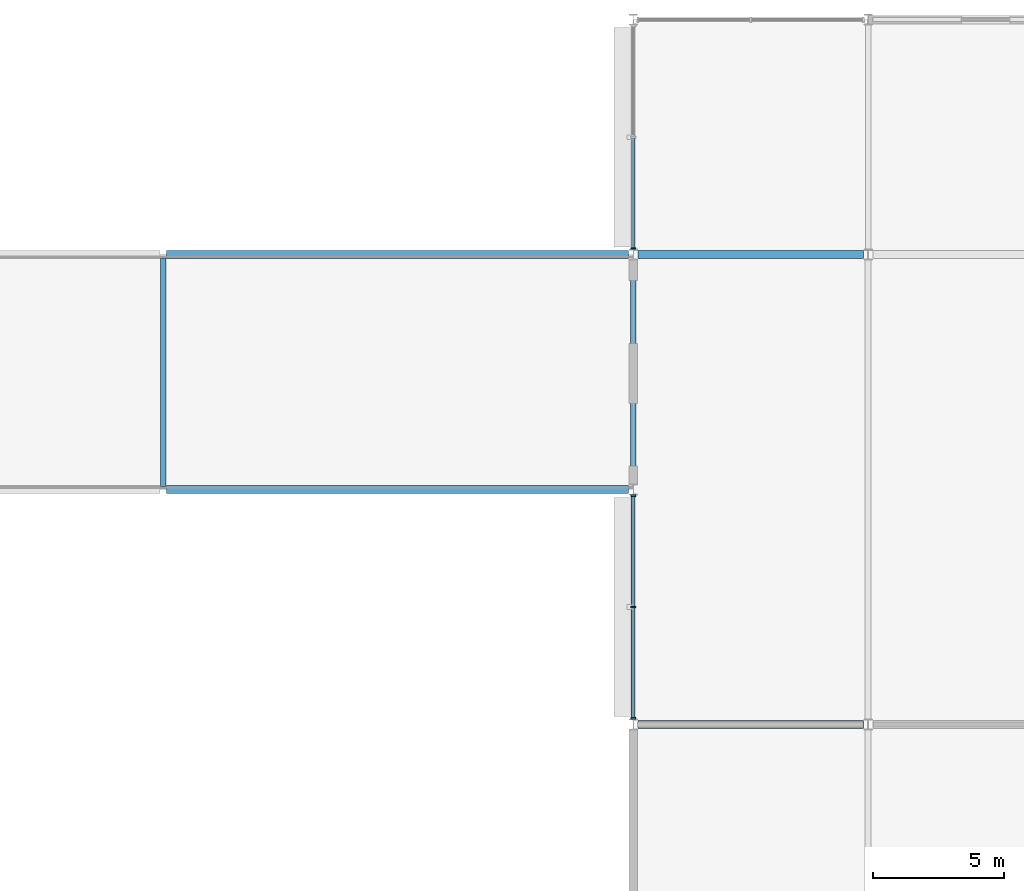
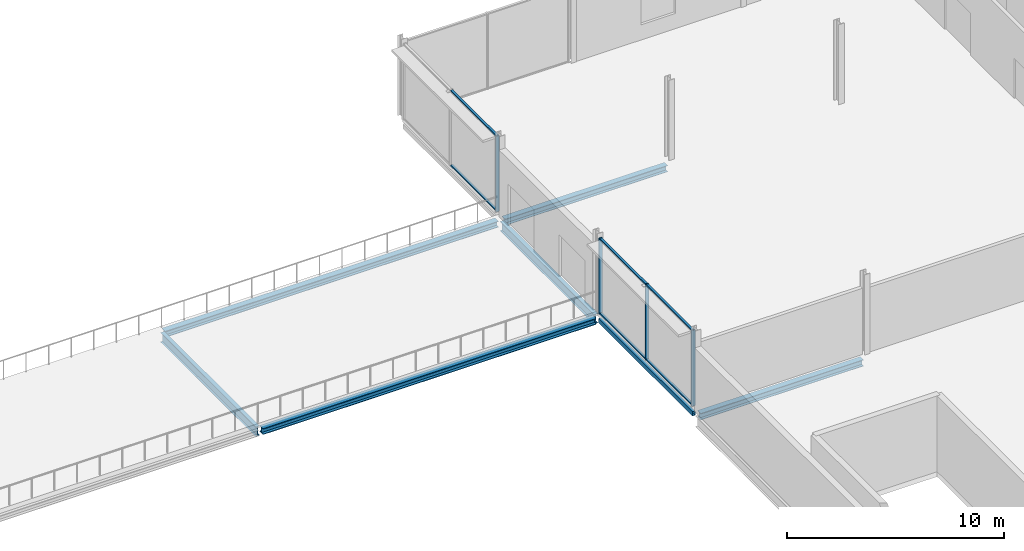
# One storey, part 31 of 73: 10 members, 7 beams, 2 elements without a shape of their own.
"""IFC4 building model written with IfcOpenShell, lengths in metres."""

from ifc_helpers import new_model, si_unit, direction, frame, origin, origin_2d, place, context, subcontext, project, spatial, rectangle, hollow_rectangle, i_section, extrude, material, layer, layer_set, material_profile, profile_set, type_object, element, aggregate, save


model = new_model("IFC4")

# Units and contexts
model_context = context("Model", 3, precision=1e-05, world=origin(), true_north=direction((0.0, 1.0)))
body_context = subcontext(model_context, "Body", "Model", "MODEL_VIEW")
ifc_project = project(units=[si_unit("LENGTHUNIT", "METRE"), si_unit("AREAUNIT", "SQUARE_METRE"), si_unit("VOLUMEUNIT", "CUBIC_METRE"), si_unit("PLANEANGLEUNIT", "RADIAN"), si_unit("MASSUNIT", "GRAM", prefix="KILO")], contexts=[model_context])

# Site, building, storey
site_placement = place(None, origin())
site = spatial("IfcSite", under=ifc_project, at=site_placement, CompositionType="ELEMENT")
building_placement = place(site_placement, origin())
building = spatial("IfcBuilding", under=site, at=building_placement, Name="Kisiwana Market Hall", CompositionType="ELEMENT")
storey_placement = place(building_placement, frame((0.0, 0.0, 33.300048828125)))
storey = spatial("IfcBuildingStorey", under=building, at=storey_placement, Name="L07", CompositionType="ELEMENT", Elevation=33.300048828125)

# Beams
ifc_material_1 = material(Name="Steel S355", Category="steel")
ifc_material_profile_1 = material_profile(ifc_material_1, i_section(OverallWidth=0.300048828125, OverallDepth=0.360107421875, WebThickness=0.012451171875, FlangeThickness=0.0224609375, at=origin_2d()), Name="HEB 360")
ifc_profile_set_1 = profile_set([ifc_material_profile_1], Name="Steel S355")
beam_type_1 = type_object("IfcBeamType", Name="BM-GIRD-HEB360", PredefinedType="BEAM", material=ifc_profile_set_1)
for number, where, z_axis, x_axis, name in (
    (1, (153.18115234375, 84.0, -0.4599609375), (1.0, 0.0, 0.0), (0.0, 1.0, 0.0), "Floor beam B-1997"),
    (2, (153.18115234375, 102.0, -0.4599609375), (1.0, 0.0, 0.0), (0.0, 1.0, 0.0), "Floor beam B-2017"),
):
    element("IfcBeam", number, at=place(storey_placement, frame(where, z_axis=z_axis, x_axis=x_axis)), inside=storey, type_object=beam_type_1, Name=name, PredefinedType="BEAM", context=body_context, shape_type="SweptSolid", body=[
        extrude(i_section(OverallWidth=0.300048828125, OverallDepth=0.360107421875, WebThickness=0.012451171875, FlangeThickness=0.0224609375, at=origin_2d()), origin(), (0.0, 0.0, 1.0), 8.6376953125),
    ])
ifc_material_2 = material(Name="Steel S355", Category="steel")
ifc_material_profile_2 = material_profile(ifc_material_2, i_section(OverallWidth=0.209228515625, OverallDepth=0.533203125, WebThickness=0.010009765625, FlangeThickness=0.015625, at=origin_2d()), Name="UB 533x210x92")
ifc_profile_set_2 = profile_set([ifc_material_profile_2], Name="Steel S355")
beam_type_2 = type_object("IfcBeamType", Name="BM-GIRD-UB533", PredefinedType="BEAM", material=ifc_profile_set_2)
beam_1_placement = place(storey_placement, frame((135.0, 93.12109375, -0.524658203125), z_axis=(0.0, 1.0, 0.0), x_axis=(-1.0, 0.0, 0.0)))
element("IfcBeam", 3, at=beam_1_placement, inside=storey, type_object=beam_type_2, Name="Primary girder B-1908", PredefinedType="BEAM", context=body_context, shape_type="SweptSolid", body=[
    extrude(i_section(OverallWidth=0.209228515625, OverallDepth=0.533203125, WebThickness=0.010009765625, FlangeThickness=0.015625, at=origin_2d()), origin(), (0.0, 0.0, 1.0), 8.7578125),
])
beam_2_placement = place(storey_placement, frame((153.0, 93.177001953125, -0.546630859375), z_axis=(0.0, 1.0, 0.0), x_axis=(-1.0, 0.0, 0.0)))
element("IfcBeam", 4, at=beam_2_placement, inside=storey, type_object=beam_type_2, Name="Primary girder B-1910", PredefinedType="BEAM", context=body_context, shape_type="SweptSolid", body=[
    extrude(i_section(OverallWidth=0.209228515625, OverallDepth=0.533203125, WebThickness=0.010009765625, FlangeThickness=0.015625, at=origin_2d()), origin(), (0.0, 0.0, 1.0), 8.64599609375),
])
ifc_material_3 = material(Name="Steel S355", Category="steel")
ifc_material_profile_3 = material_profile(ifc_material_3, i_section(OverallWidth=0.314453125, OverallDepth=0.33984375, WebThickness=0.01904296875, FlangeThickness=0.031494140625, at=origin_2d()), Name="UC 305x305x198")
ifc_profile_set_3 = profile_set([ifc_material_profile_3], Name="Steel S355")
beam_type_3 = type_object("IfcBeamType", Name="BM-SKYBR-CHORD", PredefinedType="BEAM", material=ifc_profile_set_3)
for number, where, z_axis, x_axis, name in (
    (5, (135.12109375, 93.0, -0.427978515625), (1.0, 0.0, 0.0), (0.0, 1.0, 0.0), "Floor beam B-2006"),
    (6, (135.12109375, 102.0, -0.427978515625), (1.0, 0.0, 0.0), (0.0, 1.0, 0.0), "Floor beam B-2016"),
):
    element("IfcBeam", number, at=place(storey_placement, frame(where, z_axis=z_axis, x_axis=x_axis)), inside=storey, type_object=beam_type_3, Name=name, PredefinedType="BEAM", context=body_context, shape_type="SweptSolid", body=[
        extrude(i_section(OverallWidth=0.314453125, OverallDepth=0.33984375, WebThickness=0.01904296875, FlangeThickness=0.031494140625, at=origin_2d()), origin(), (0.0, 0.0, 1.0), 17.69775390625),
    ])
ifc_material_4 = material(Name="Steel S355", Category="steel")
ifc_material_profile_4 = material_profile(ifc_material_4, hollow_rectangle(XDim=0.14990234375, YDim=0.25, WallThickness=0.010009765625, at=origin_2d()), Name="RHS 250x150x10.0")
ifc_profile_set_4 = profile_set([ifc_material_profile_4], Name="Steel S355")
beam_type_4 = type_object("IfcBeamType", Name="BM-SPAN-RHS250", PredefinedType="SPANDREL", material=ifc_profile_set_4)
beam_3_placement = place(storey_placement, frame((153.0, 84.177001953125, -0.405029296875), z_axis=(0.0, 1.0, 0.0), x_axis=(-1.0, 0.0, 0.0)))
element("IfcBeam", 7, at=beam_3_placement, inside=storey, type_object=beam_type_4, Name="Floor beam B-2047", PredefinedType="SPANDREL", context=body_context, shape_type="SweptSolid", body=[
    extrude(hollow_rectangle(XDim=0.14990234375, YDim=0.25, WallThickness=0.010009765625, at=origin_2d()), origin(), (0.0, 0.0, 1.0), 8.64599609375),
])

# Curtain wall, members
ifc_material_5 = material(Name="Double-glazed solar-control low-E IGU", Category="glass")
ifc_layer = layer(ifc_material_5, 0.159912109375)
ifc_layer_set = layer_set([ifc_layer], Name="CW-BRG-L07-8200")
curtain_wall_type = type_object("IfcCurtainWallType", Name="CW-BRG-L07-8200", PredefinedType="USERDEFINED", material=ifc_layer_set)
curtain_wall_1_placement = place(storey_placement, origin())
curtain_wall_1 = element("IfcCurtainWall", 8, at=curtain_wall_1_placement, inside=storey, type_object=curtain_wall_type, Name="Unitised curtain wall CW-234 (L07)", ObjectType="UNITISED CURTAIN WALL", PredefinedType="USERDEFINED")
ifc_material_6 = material(Name="Aluminium alloy 6063-T6", Category="aluminium")
ifc_material_profile_5 = material_profile(ifc_material_6, rectangle(XDim=0.070068359375, YDim=0.179931640625, at=origin_2d()), Name="ALU MULLION 70x180")
ifc_profile_set_5 = profile_set([ifc_material_profile_5], Name="Aluminium alloy 6063-T6")
member_type_1 = type_object("IfcMemberType", Name="CW-MULL-70x180", PredefinedType="MULLION", material=ifc_profile_set_5)
member_1_placement = place(storey_placement, frame((153.0, 84.235107421875, 0.0), z_axis=(0.0, 0.0, 1.0), x_axis=(0.0, 1.0, 0.0)))
member_1 = element("IfcMember", 9, at=member_1_placement, type_object=member_type_1, Name="CW-234 mullion 1", PredefinedType="MULLION", context=body_context, shape_type="SweptSolid", body=[
    extrude(rectangle(XDim=0.070068359375, YDim=0.179931640625, at=origin_2d()), origin(), (0.0, 0.0, 1.0), 4.2548828125),
])
member_2_placement = place(storey_placement, frame((153.0, 88.5, 0.0), z_axis=(0.0, 0.0, 1.0), x_axis=(0.0, 1.0, 0.0)))
member_2 = element("IfcMember", 10, at=member_2_placement, type_object=member_type_1, Name="CW-234 mullion 2", PredefinedType="MULLION", context=body_context, shape_type="SweptSolid", body=[
    extrude(rectangle(XDim=0.070068359375, YDim=0.179931640625, at=origin_2d()), origin(), (0.0, 0.0, 1.0), 4.2548828125),
])
member_3_placement = place(storey_placement, frame((153.0, 92.764892578125, 0.0), z_axis=(0.0, 0.0, 1.0), x_axis=(0.0, 1.0, 0.0)))
member_3 = element("IfcMember", 11, at=member_3_placement, type_object=member_type_1, Name="CW-234 mullion 3", PredefinedType="MULLION", context=body_context, shape_type="SweptSolid", body=[
    extrude(rectangle(XDim=0.070068359375, YDim=0.179931640625, at=origin_2d()), origin(), (0.0, 0.0, 1.0), 4.2548828125),
])

# Curtain wall, member
curtain_wall_2_placement = place(storey_placement, origin())
curtain_wall_2 = element("IfcCurtainWall", 12, at=curtain_wall_2_placement, inside=storey, type_object=curtain_wall_type, Name="Unitised curtain wall CW-236 (L07)", ObjectType="UNITISED CURTAIN WALL", PredefinedType="USERDEFINED")
member_4_placement = place(storey_placement, frame((153.0, 102.235107421875, 0.0), z_axis=(0.0, 0.0, 1.0), x_axis=(0.0, 1.0, 0.0)))
member_4 = element("IfcMember", 13, at=member_4_placement, type_object=member_type_1, Name="CW-236 mullion 1", PredefinedType="MULLION", context=body_context, shape_type="SweptSolid", body=[
    extrude(rectangle(XDim=0.070068359375, YDim=0.179931640625, at=origin_2d()), origin(), (0.0, 0.0, 1.0), 4.2548828125),
])

# Member
ifc_material_7 = material(Name="Aluminium alloy 6063-T6", Category="aluminium")
ifc_material_profile_6 = material_profile(ifc_material_7, rectangle(XDim=0.1201171875, YDim=0.06005859375, at=origin_2d()), Name="ALU TRANSOM 60x120")
ifc_profile_set_6 = profile_set([ifc_material_profile_6], Name="Aluminium alloy 6063-T6")
member_type_2 = type_object("IfcMemberType", Name="CW-TRAN-60x120", PredefinedType="USERDEFINED", material=ifc_profile_set_6)
member_5_placement = place(storey_placement, frame((153.0, 84.27001953125, 0.030029296875), z_axis=(0.0, 1.0, 0.0), x_axis=(-1.0, 0.0, 0.0)))
member_5 = element("IfcMember", 14, at=member_5_placement, type_object=member_type_2, Name="CW-234 transom 1.1", ObjectType="TRANSOM", PredefinedType="USERDEFINED", context=body_context, shape_type="SweptSolid", body=[
    extrude(rectangle(XDim=0.1201171875, YDim=0.06005859375, at=origin_2d()), origin(), (0.0, 0.0, 1.0), 4.195068359375),
])

member_6_placement = place(storey_placement, frame((153.0, 84.27001953125, 4.224853515625), z_axis=(0.0, 1.0, 0.0), x_axis=(-1.0, 0.0, 0.0)))
member_6 = element("IfcMember", 15, at=member_6_placement, type_object=member_type_2, Name="CW-234 transom 1.2", ObjectType="TRANSOM", PredefinedType="USERDEFINED", context=body_context, shape_type="SweptSolid", body=[
    extrude(rectangle(XDim=0.1201171875, YDim=0.06005859375, at=origin_2d()), origin(), (0.0, 0.0, 1.0), 4.195068359375),
])

member_7_placement = place(storey_placement, frame((153.0, 88.534912109375, 0.030029296875), z_axis=(0.0, 1.0, 0.0), x_axis=(-1.0, 0.0, 0.0)))
member_7 = element("IfcMember", 16, at=member_7_placement, type_object=member_type_2, Name="CW-234 transom 2.1", ObjectType="TRANSOM", PredefinedType="USERDEFINED", context=body_context, shape_type="SweptSolid", body=[
    extrude(rectangle(XDim=0.1201171875, YDim=0.06005859375, at=origin_2d()), origin(), (0.0, 0.0, 1.0), 4.195068359375),
])

member_8_placement = place(storey_placement, frame((153.0, 88.534912109375, 4.224853515625), z_axis=(0.0, 1.0, 0.0), x_axis=(-1.0, 0.0, 0.0)))
member_8 = element("IfcMember", 17, at=member_8_placement, type_object=member_type_2, Name="CW-234 transom 2.2", ObjectType="TRANSOM", PredefinedType="USERDEFINED", context=body_context, shape_type="SweptSolid", body=[
    extrude(rectangle(XDim=0.1201171875, YDim=0.06005859375, at=origin_2d()), origin(), (0.0, 0.0, 1.0), 4.195068359375),
])

aggregate(curtain_wall_1, [member_1, member_2, member_3, member_5, member_6, member_7, member_8])

member_9_placement = place(storey_placement, frame((153.0, 102.27001953125, 0.030029296875), z_axis=(0.0, 1.0, 0.0), x_axis=(-1.0, 0.0, 0.0)))
member_9 = element("IfcMember", 18, at=member_9_placement, type_object=member_type_2, Name="CW-236 transom 1.1", ObjectType="TRANSOM", PredefinedType="USERDEFINED", context=body_context, shape_type="SweptSolid", body=[
    extrude(rectangle(XDim=0.1201171875, YDim=0.06005859375, at=origin_2d()), origin(), (0.0, 0.0, 1.0), 4.195068359375),
])

member_10_placement = place(storey_placement, frame((153.0, 102.27001953125, 4.224853515625), z_axis=(0.0, 1.0, 0.0), x_axis=(-1.0, 0.0, 0.0)))
member_10 = element("IfcMember", 19, at=member_10_placement, type_object=member_type_2, Name="CW-236 transom 1.2", ObjectType="TRANSOM", PredefinedType="USERDEFINED", context=body_context, shape_type="SweptSolid", body=[
    extrude(rectangle(XDim=0.1201171875, YDim=0.06005859375, at=origin_2d()), origin(), (0.0, 0.0, 1.0), 4.195068359375),
])

aggregate(curtain_wall_2, [member_4, member_9, member_10])

save(model, "model.ifc")
